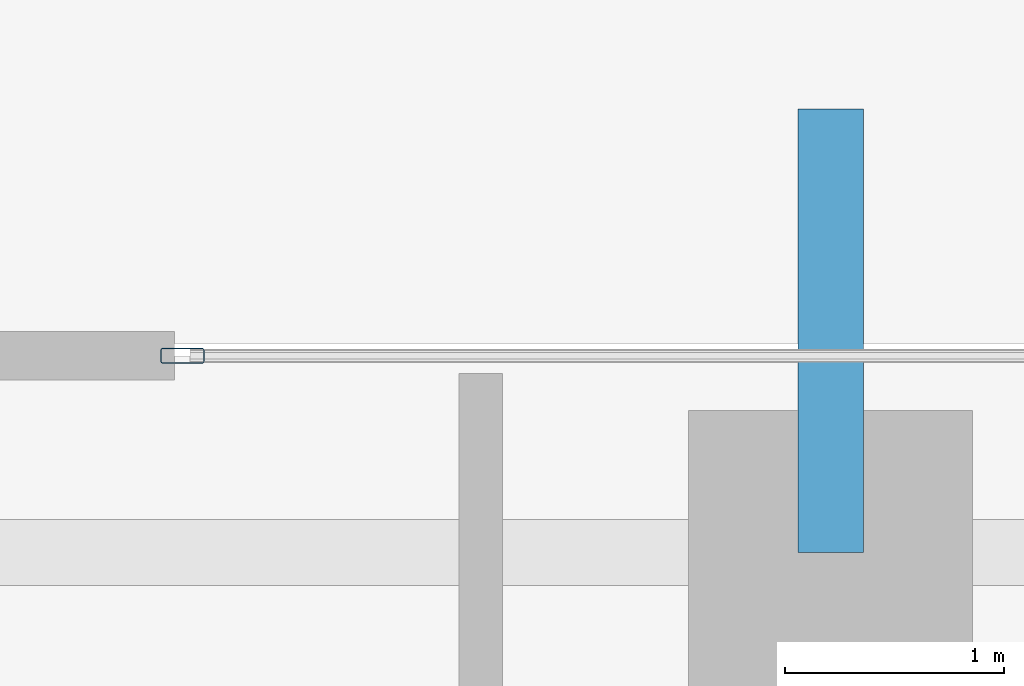
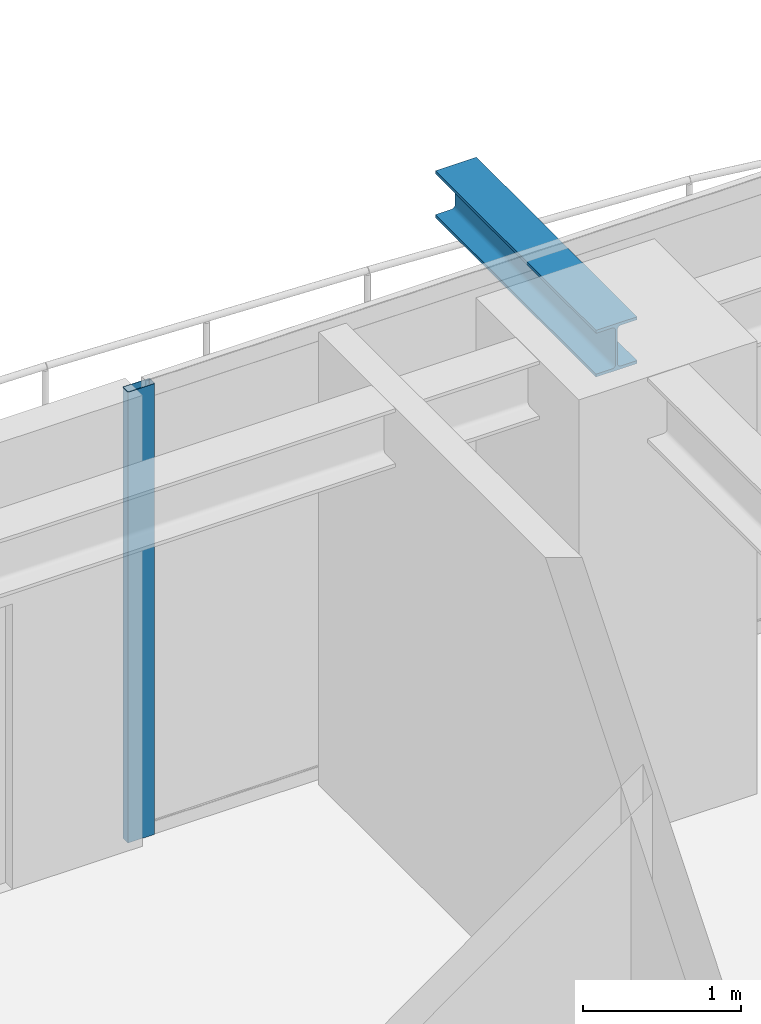
# One storey, part 22 of 39: 1 beam, 1 member, 1 element without a shape of its own.
"""IFC4 building model written with IfcOpenShell, lengths in metres."""

from ifc_helpers import new_model, si_unit, direction, frame, origin, origin_2d, place, context, subcontext, project, spatial, hollow_rectangle, i_section, extrude, source, transform, mapped, material, layer, layer_set, material_profile, profile_set, type_object, element, aggregate, save


model = new_model("IFC4")

# Units and contexts
model_context = context("Model", 3, precision=1e-05, world=origin(), true_north=direction((0.0, 1.0)))
body_context = subcontext(model_context, "Body", "Model", "MODEL_VIEW")
ifc_project = project(units=[si_unit("LENGTHUNIT", "METRE"), si_unit("AREAUNIT", "SQUARE_METRE"), si_unit("VOLUMEUNIT", "CUBIC_METRE"), si_unit("PLANEANGLEUNIT", "RADIAN"), si_unit("MASSUNIT", "GRAM", prefix="KILO")], contexts=[model_context])

# Site, building, storey
site_placement = place(None, origin())
site = spatial("IfcSite", under=ifc_project, at=site_placement, CompositionType="ELEMENT")
building_placement = place(site_placement, origin())
building = spatial("IfcBuilding", under=site, at=building_placement, Name="Serunith Strait Residences", CompositionType="ELEMENT")
storey_placement = place(building_placement, frame((0.0, 0.0, 168.89990234375)))
storey = spatial("IfcBuildingStorey", under=building, at=storey_placement, Name="L42", CompositionType="ELEMENT", Elevation=168.89990234375)

# Beam
ifc_material_1 = material(Name="Steel S355J2", Category="steel")
ifc_material_profile_1 = material_profile(ifc_material_1, i_section(OverallWidth=0.300048828125, OverallDepth=0.360107421875, WebThickness=0.012451171875, FlangeThickness=0.0224609375, FilletRadius=0.027099609375, at=origin_2d()), Name="HEB 360")
ifc_profile_set_1 = profile_set([ifc_material_profile_1], Name="Steel S355J2")
beam_type = type_object("IfcBeamType", Name="BM-HEB360", PredefinedType="BEAM", material=ifc_profile_set_1)
shared_shape_1 = source(origin(), body_context, "Body", "SweptSolid", [
    extrude(i_section(OverallWidth=0.300048828125, OverallDepth=0.360107421875, WebThickness=0.012451171875, FlangeThickness=0.0224609375, FilletRadius=0.027099609375, at=origin_2d()), origin(), (0.0, 0.0, 1.0), 2.02978515625),
])
beam_placement = place(storey_placement, frame((36.89990234375, 48.10009765625, 3.277099609375), z_axis=(0.0, 1.0, 0.0), x_axis=(-1.0, 0.0, 0.0)))
element("IfcBeam", 1, at=beam_placement, inside=storey, type_object=beam_type, Name="L43 Cantilevered Balcony Rib TC-N3", PredefinedType="BEAM", context=body_context, shape_type="MappedRepresentation", body=[
    mapped(shared_shape_1, transform((0.0, 0.0, 0.0), scale=1.0)),
])

# Curtain wall, member
ifc_material_2 = material(Name="Pale-Champagne Anodised Aluminium", Category="aluminium")
ifc_layer = layer(ifc_material_2, 0.199951171875, Name="Pale-Champagne Anodised Aluminium")
ifc_layer_set = layer_set([ifc_layer], Name="Pale-Champagne Anodised Aluminium")
curtain_wall_type = type_object("IfcCurtainWallType", Name="CW-SYS2", PredefinedType="NOTDEFINED", material=ifc_layer_set)
curtain_wall_placement = place(storey_placement, origin())
curtain_wall = element("IfcCurtainWall", 2, at=curtain_wall_placement, inside=storey, type_object=curtain_wall_type, Name="L42 N Unitised Fritted Curtain Wall", PredefinedType="NOTDEFINED")
ifc_material_profile_2 = material_profile(ifc_material_2, hollow_rectangle(XDim=0.070068359375, YDim=0.199951171875, WallThickness=0.00390625, InnerFilletRadius=0.006103515625, OuterFilletRadius=0.010009765625, at=origin_2d()), Name="ALU 200x70x4")
ifc_profile_set_2 = profile_set([ifc_material_profile_2], Name="Pale-Champagne Anodised Aluminium")
member_type = type_object("IfcMemberType", Name="CW-SYS2-MULL", PredefinedType="MULLION", material=ifc_profile_set_2)
shared_shape_2 = source(origin(), body_context, "Body", "SweptSolid", [
    extrude(hollow_rectangle(XDim=0.070068359375, YDim=0.199951171875, WallThickness=0.00390625, InnerFilletRadius=0.006103515625, OuterFilletRadius=0.010009765625, at=origin_2d()), origin(), (0.0, 0.0, 1.0), 3.47509765625),
])
member_placement = place(storey_placement, frame((33.93505859375, 49.0, 0.0), z_axis=(0.0, 0.0, 1.0), x_axis=(0.0, -1.0, 0.0)))
member = element("IfcMember", 3, at=member_placement, type_object=member_type, Name="CW-2 mullion 3", PredefinedType="MULLION", context=body_context, shape_type="MappedRepresentation", body=[
    mapped(shared_shape_2, transform((0.0, 0.0, 0.0), scale=1.0)),
])
aggregate(curtain_wall, [member])

save(model, "model.ifc")
